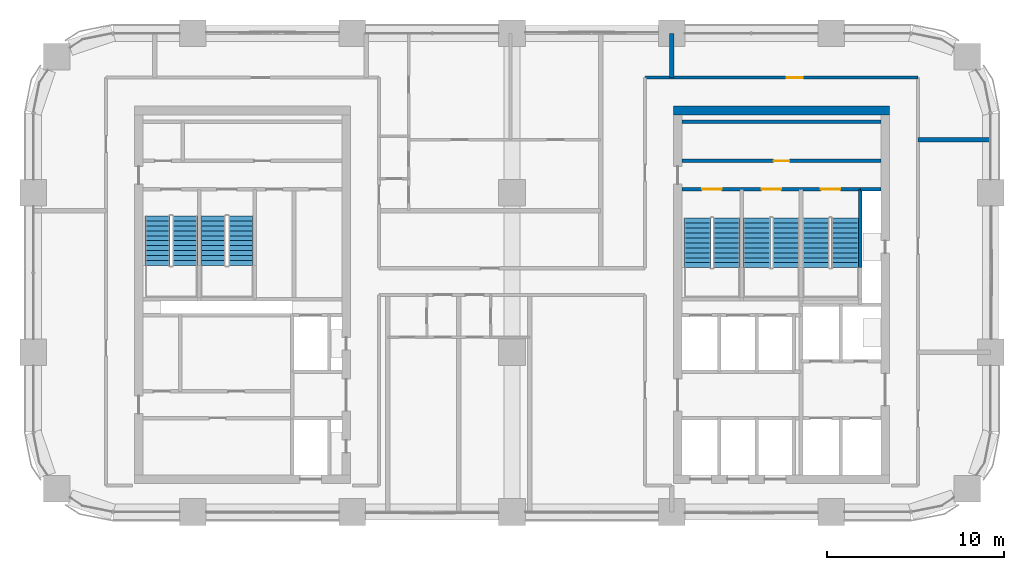
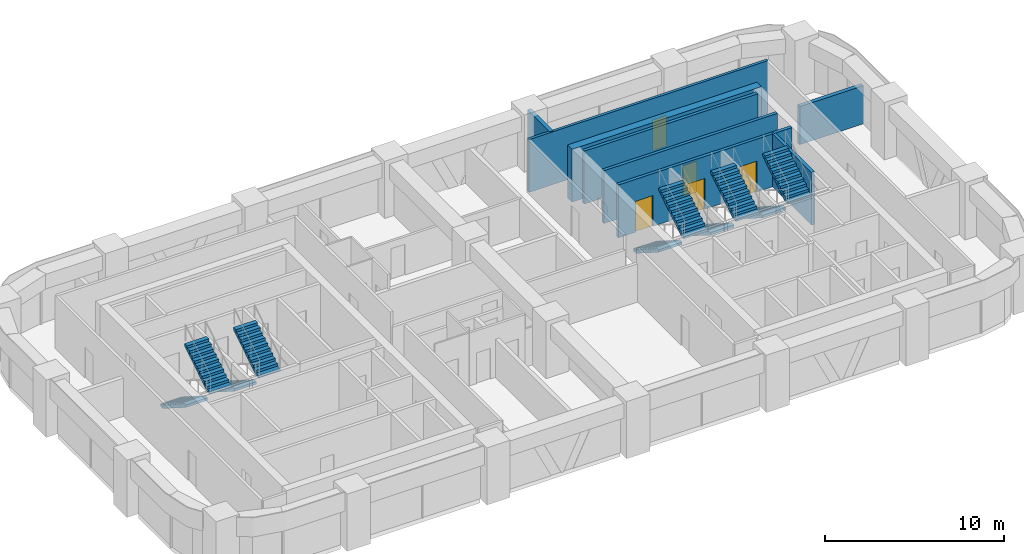
# One storey, part 12 of 14: 10 stair flights, 9 walls, 5 doors, 5 openings, 5 elements without a shape of their own.
"""IFC4 building model written with IfcOpenShell, lengths in metres."""

from ifc_helpers import new_model, si_unit, direction, frame, frame_2d, origin, place, context, subcontext, project, spatial, polyline, rectangle, outline, extrude, material, layer, layer_set, type_object, element, fill, aggregate, save


model = new_model("IFC4")

# Units and contexts
model_context = context("Model", 3, precision=1e-05, world=origin(), true_north=direction((0.0, 1.0)))
body_context = subcontext(model_context, "Body", "Model", "MODEL_VIEW")
ifc_project = project(units=[si_unit("LENGTHUNIT", "METRE"), si_unit("AREAUNIT", "SQUARE_METRE"), si_unit("VOLUMEUNIT", "CUBIC_METRE"), si_unit("PLANEANGLEUNIT", "RADIAN"), si_unit("MASSUNIT", "GRAM", prefix="KILO")], contexts=[model_context])

# Site, building, storey
site_placement = place(None, origin())
site = spatial("IfcSite", under=ifc_project, at=site_placement, CompositionType="ELEMENT")
building_placement = place(site_placement, origin())
building = spatial("IfcBuilding", under=site, at=building_placement, Name="Tessera Arch", CompositionType="ELEMENT")
storey_placement = place(building_placement, frame((0.0, 0.0, 173.89990234375)))
storey = spatial("IfcBuildingStorey", under=building, at=storey_placement, Name="L41", CompositionType="ELEMENT", Elevation=173.89990234375)

# Wall, opening, door
ifc_material_1 = material(Name="Gypsum board on steel stud", Category="steel")
ifc_layer_1 = layer(ifc_material_1, 0.125)
ifc_layer_set_1 = layer_set([ifc_layer_1], Name="Core partition 125 EI 60")
wall_type_1 = type_object("IfcWallType", Name="Core partition 125 EI 60", PredefinedType="PARTITIONING", material=ifc_layer_set_1)
wall_1_placement = place(storey_placement, frame((36.60009765625, 46.800048828125, 0.0), z_axis=(0.0, 0.0, 1.0), x_axis=(1.0, 0.0, 0.0)))
wall_1 = element("IfcWall", 1, at=wall_1_placement, inside=storey, type_object=wall_type_1, Name="L41 C1 partition wall 30", PredefinedType="PARTITIONING", context=body_context, shape_type="SweptSolid", body=[
    extrude(rectangle(XDim=11.199951171875, YDim=0.199951171875, at=frame_2d((5.60009765625, 0.0))), origin(), (0.0, 0.0, 1.0), 3.60009765625),
])
opening_1_placement = place(wall_1_placement, frame((5.14990234375, 0.0, 0.0)))
opening_1 = element("IfcOpeningElement", 2, at=opening_1_placement, cuts=wall_1, Name="Opening L41-C18", PredefinedType="OPENING", context=body_context, shape_type="SweptSolid", body=[
    extrude(rectangle(XDim=0.89990234375, YDim=2.10009765625, at=frame_2d((0.449951171875, 1.050048828125))), frame((0.0, 0.10986328125, 0.0), z_axis=(0.0, -1.0, 0.0), x_axis=(1.0, 0.0, 0.0)), (0.0, 0.0, 1.0), 0.219970703125),
])
ifc_material_2 = material(Name="Steel door leaf", Category="steel")
door_type_1 = type_object("IfcDoorType", Name="Store door FD30S 900 x 2100", OperationType="SINGLE_SWING_LEFT", PredefinedType="DOOR", material=ifc_material_2)
door_1_placement = place(opening_1_placement, origin())
door_1 = element("IfcDoor", 3, at=door_1_placement, inside=storey, type_object=door_type_1, Name="L41 C1 door 18 C18 type D09", OperationType="SINGLE_SWING_RIGHT", OverallHeight=2.10009765625, OverallWidth=0.89990234375, PredefinedType="DOOR", context=body_context, shape_type="SweptSolid", body=[
    extrude(rectangle(XDim=0.89990234375, YDim=2.10009765625, at=frame_2d((0.449951171875, 1.050048828125))), frame((0.0, 0.02490234375, 0.0), z_axis=(0.0, -1.0, 0.0), x_axis=(1.0, 0.0, 0.0)), (0.0, 0.0, 1.0), 0.050048828125),
])
fill(opening_1, door_1)

# Walls
wall_2_placement = place(storey_placement, frame((36.60009765625, 49.0, 0.0), z_axis=(0.0, 0.0, 1.0), x_axis=(1.0, 0.0, 0.0)))
element("IfcWall", 4, at=wall_2_placement, inside=storey, type_object=wall_type_1, Name="L41 C1 partition wall 31", PredefinedType="PARTITIONING", context=body_context, shape_type="SweptSolid", body=[
    extrude(rectangle(XDim=11.199951171875, YDim=0.199951171875, at=frame_2d((5.60009765625, 0.0))), origin(), (0.0, 0.0, 1.0), 3.60009765625),
])
ifc_material_3 = material(Name="Concrete C60/75", Category="concrete")
ifc_layer_2 = layer(ifc_material_3, 0.5)
ifc_layer_set_2 = layer_set([ifc_layer_2], Name="Core shell wall 500 C60-75")
wall_type_2 = type_object("IfcWallType", Name="Core shell wall 500 C60-75", PredefinedType="SHEAR", material=ifc_layer_set_2)
wall_3_placement = place(storey_placement, frame((36.10009765625, 49.64990234375, 0.0), z_axis=(0.0, 0.0, 1.0), x_axis=(1.0, 0.0, 0.0)))
element("IfcWall", 5, at=wall_3_placement, inside=storey, type_object=wall_type_2, Name="L41 C1 core wall N", PredefinedType="SHEAR", context=body_context, shape_type="SweptSolid", body=[
    extrude(rectangle(XDim=12.199951171875, YDim=0.5, at=frame_2d((6.10009765625, 0.0))), origin(), (0.0, 0.0, 1.0), 3.60009765625),
])

# Wall, opening, door
ifc_material_4 = material(Name="Gypsum board on deep steel stud with mineral wool", Category="steel")
ifc_layer_3 = layer(ifc_material_4, 0.175048828125)
ifc_layer_set_3 = layer_set([ifc_layer_3], Name="Corridor wall 175 EI 60")
wall_type_3 = type_object("IfcWallType", Name="Corridor wall 175 EI 60", PredefinedType="PARTITIONING", material=ifc_layer_set_3)
wall_4_placement = place(storey_placement, frame((34.5, 51.5, 0.0), z_axis=(0.0, 0.0, 1.0), x_axis=(1.0, 0.0, 0.0)))
wall_4 = element("IfcWall", 6, at=wall_4_placement, inside=storey, type_object=wall_type_3, Name="L41 partition 8", PredefinedType="PARTITIONING", context=body_context, shape_type="SweptSolid", body=[
    extrude(rectangle(XDim=15.39990234375, YDim=0.175048828125, at=frame_2d((7.699951171875, 0.0))), origin(), (0.0, 0.0, 1.0), 3.60009765625),
])
opening_2_placement = place(wall_4_placement, frame((8.0, 0.0, 0.0)))
opening_2 = element("IfcOpeningElement", 7, at=opening_2_placement, cuts=wall_4, Name="Opening L41-D022", PredefinedType="OPENING", context=body_context, shape_type="SweptSolid", body=[
    extrude(rectangle(XDim=0.89990234375, YDim=2.10009765625, at=frame_2d((0.449951171875, 1.050048828125))), frame((0.0, 0.097412109375, 0.0), z_axis=(0.0, -1.0, 0.0), x_axis=(1.0, 0.0, 0.0)), (0.0, 0.0, 1.0), 0.195068359375),
])
ifc_material_5 = material(Name="Timber door leaf", Category="wood")
door_type_2 = type_object("IfcDoorType", Name="Room door 900 x 2100", OperationType="SINGLE_SWING_LEFT", PredefinedType="DOOR", material=ifc_material_5)
door_2_placement = place(opening_2_placement, origin())
door_2 = element("IfcDoor", 8, at=door_2_placement, inside=storey, type_object=door_type_2, Name="L41 door D022 type D01", OperationType="SINGLE_SWING_LEFT", OverallHeight=2.10009765625, OverallWidth=0.89990234375, PredefinedType="DOOR", context=body_context, shape_type="SweptSolid", body=[
    extrude(rectangle(XDim=0.89990234375, YDim=2.10009765625, at=frame_2d((0.449951171875, 1.050048828125))), frame((0.0, 0.02490234375, 0.0), z_axis=(0.0, -1.0, 0.0), x_axis=(1.0, 0.0, 0.0)), (0.0, 0.0, 1.0), 0.050048828125),
])
fill(opening_2, door_2)

# Walls
ifc_material_6 = material(Name="Double gypsum board on twin steel stud with acoustic mineral wool", Category="steel")
ifc_layer_4 = layer(ifc_material_6, 0.25)
ifc_layer_set_4 = layer_set([ifc_layer_4], Name="Party wall 250 EI 60")
wall_type_4 = type_object("IfcWallType", Name="Party wall 250 EI 60", PredefinedType="PARTITIONING", material=ifc_layer_set_4)
wall_5_placement = place(storey_placement, frame((49.89990234375, 48.0, 0.0), z_axis=(0.0, 0.0, 1.0), x_axis=(1.0, 0.0, 0.0)))
element("IfcWall", 9, at=wall_5_placement, inside=storey, type_object=wall_type_4, Name="L41 partition 23", PredefinedType="PARTITIONING", context=body_context, shape_type="SweptSolid", body=[
    extrude(rectangle(XDim=4.10009765625, YDim=0.25, at=frame_2d((2.050048828125, 0.0))), origin(), (0.0, 0.0, 1.0), 2.60009765625),
])
wall_6_placement = place(storey_placement, frame((36.0, 51.5, 0.0), z_axis=(0.0, 0.0, 1.0), x_axis=(0.0, 1.0, 0.0)))
element("IfcWall", 10, at=wall_6_placement, inside=storey, type_object=wall_type_4, Name="L41 partition 31", PredefinedType="PARTITIONING", context=body_context, shape_type="SweptSolid", body=[
    extrude(rectangle(XDim=2.5, YDim=0.25, at=frame_2d((1.25, 0.0))), origin(), (0.0, 0.0, 1.0), 3.60009765625),
])
ifc_material_7 = material(Name="Concrete C40/50", Category="concrete")
ifc_layer_5 = layer(ifc_material_7, 0.199951171875)
ifc_layer_set_5 = layer_set([ifc_layer_5], Name="Shaft wall 200 EI 120")
wall_type_5 = type_object("IfcWallType", Name="Shaft wall 200 EI 120", PredefinedType="SOLIDWALL", material=ifc_layer_set_5)
wall_7_placement = place(storey_placement, frame((46.64990234375, 45.199951171875, 0.0), z_axis=(0.0, 0.0, 1.0), x_axis=(1.0, 0.0, 0.0)))
element("IfcWall", 11, at=wall_7_placement, inside=storey, type_object=wall_type_5, Name="L41 C1 shaft wall 28", PredefinedType="SOLIDWALL", context=body_context, shape_type="SweptSolid", body=[
    extrude(rectangle(XDim=1.150146484375, YDim=0.199951171875, at=frame_2d((0.5751953125, 0.0))), origin(), (0.0, 0.0, 1.0), 3.60009765625),
])
ifc_material_8 = material(Name="Concrete C40/50", Category="concrete")
ifc_layer_6 = layer(ifc_material_8, 0.199951171875)
ifc_layer_set_6 = layer_set([ifc_layer_6], Name="Stair well wall 200 REI 180")
wall_type_6 = type_object("IfcWallType", Name="Stair well wall 200 REI 180", PredefinedType="SOLIDWALL", material=ifc_layer_set_6)
wall_8_placement = place(storey_placement, frame((46.64990234375, 40.780029296875, 0.0), z_axis=(0.0, 0.0, 1.0), x_axis=(0.0, 1.0, 0.0)))
element("IfcWall", 12, at=wall_8_placement, inside=storey, type_object=wall_type_6, Name="L41 C1 shaft wall 16", PredefinedType="SOLIDWALL", context=body_context, shape_type="SweptSolid", body=[
    extrude(rectangle(XDim=4.419921875, YDim=0.199951171875, at=frame_2d((2.2099609375, 0.0))), origin(), (0.0, 0.0, 1.0), 3.60009765625),
])

# Wall, openings, doors
wall_9_placement = place(storey_placement, frame((36.60009765625, 45.199951171875, 0.0), z_axis=(0.0, 0.0, 1.0), x_axis=(1.0, 0.0, 0.0)))
wall_9 = element("IfcWall", 13, at=wall_9_placement, inside=storey, type_object=wall_type_6, Name="L41 C1 shaft wall 29", PredefinedType="SOLIDWALL", context=body_context, shape_type="SweptSolid", body=[
    extrude(rectangle(XDim=10.0498046875, YDim=0.199951171875, at=frame_2d((5.02490234375, 0.0))), origin(), (0.0, 0.0, 1.0), 3.60009765625),
])
opening_3_placement = place(wall_9_placement, frame((1.125, 0.0, 0.0)))
opening_3 = element("IfcOpeningElement", 14, at=opening_3_placement, cuts=wall_9, Name="Opening L41-C11", PredefinedType="OPENING", context=body_context, shape_type="SweptSolid", body=[
    extrude(rectangle(XDim=1.10009765625, YDim=2.10009765625, at=frame_2d((0.550048828125, 1.050048828125))), frame((0.0, 0.10986328125, 0.0), z_axis=(0.0, -1.0, 0.0), x_axis=(1.0, 0.0, 0.0)), (0.0, 0.0, 1.0), 0.219970703125),
])
opening_4_placement = place(wall_9_placement, frame((4.47509765625, 0.0, 0.0)))
opening_4 = element("IfcOpeningElement", 15, at=opening_4_placement, cuts=wall_9, Name="Opening L41-C12", PredefinedType="OPENING", context=body_context, shape_type="SweptSolid", body=[
    extrude(rectangle(XDim=1.10009765625, YDim=2.10009765625, at=frame_2d((0.550048828125, 1.050048828125))), frame((0.0, 0.10986328125, 0.0), z_axis=(0.0, -1.0, 0.0), x_axis=(1.0, 0.0, 0.0)), (0.0, 0.0, 1.0), 0.219970703125),
])
opening_5_placement = place(wall_9_placement, frame((7.824951171875, 0.0, 0.0)))
opening_5 = element("IfcOpeningElement", 16, at=opening_5_placement, cuts=wall_9, Name="Opening L41-C13", PredefinedType="OPENING", context=body_context, shape_type="SweptSolid", body=[
    extrude(rectangle(XDim=1.10009765625, YDim=2.10009765625, at=frame_2d((0.550048828125, 1.050048828125))), frame((0.0, 0.10986328125, 0.0), z_axis=(0.0, -1.0, 0.0), x_axis=(1.0, 0.0, 0.0)), (0.0, 0.0, 1.0), 0.219970703125),
])
ifc_material_9 = material(Name="Steel door leaf", Category="steel")
door_type_3 = type_object("IfcDoorType", Name="Stair door FD60 1100 x 2100", OperationType="SINGLE_SWING_LEFT", PredefinedType="DOOR", material=ifc_material_9)
door_3_placement = place(opening_3_placement, origin())
door_3 = element("IfcDoor", 17, at=door_3_placement, inside=storey, type_object=door_type_3, Name="L41 C1 door 11 C11 type D05", OperationType="SINGLE_SWING_LEFT", OverallHeight=2.10009765625, OverallWidth=1.10009765625, PredefinedType="DOOR", context=body_context, shape_type="SweptSolid", body=[
    extrude(rectangle(XDim=1.10009765625, YDim=2.10009765625, at=frame_2d((0.550048828125, 1.050048828125))), frame((0.0, 0.02490234375, 0.0), z_axis=(0.0, -1.0, 0.0), x_axis=(1.0, 0.0, 0.0)), (0.0, 0.0, 1.0), 0.050048828125),
])
fill(opening_3, door_3)
door_4_placement = place(opening_4_placement, origin())
door_4 = element("IfcDoor", 18, at=door_4_placement, inside=storey, type_object=door_type_3, Name="L41 C1 door 12 C12 type D05", OperationType="SINGLE_SWING_RIGHT", OverallHeight=2.10009765625, OverallWidth=1.10009765625, PredefinedType="DOOR", context=body_context, shape_type="SweptSolid", body=[
    extrude(rectangle(XDim=1.10009765625, YDim=2.10009765625, at=frame_2d((0.550048828125, 1.050048828125))), frame((0.0, 0.02490234375, 0.0), z_axis=(0.0, -1.0, 0.0), x_axis=(1.0, 0.0, 0.0)), (0.0, 0.0, 1.0), 0.050048828125),
])
fill(opening_4, door_4)
door_5_placement = place(opening_5_placement, origin())
door_5 = element("IfcDoor", 19, at=door_5_placement, inside=storey, type_object=door_type_3, Name="L41 C1 door 13 C13 type D05", OperationType="SINGLE_SWING_RIGHT", OverallHeight=2.10009765625, OverallWidth=1.10009765625, PredefinedType="DOOR", context=body_context, shape_type="SweptSolid", body=[
    extrude(rectangle(XDim=1.10009765625, YDim=2.10009765625, at=frame_2d((0.550048828125, 1.050048828125))), frame((0.0, 0.02490234375, 0.0), z_axis=(0.0, -1.0, 0.0), x_axis=(1.0, 0.0, 0.0)), (0.0, 0.0, 1.0), 0.050048828125),
])
fill(opening_5, door_5)

# Stair, stair flights
ifc_material_10 = material(Name="Concrete C40/50", Category="concrete")
stair_type_1 = type_object("IfcStairType", Name="Dogleg stair 1400", PredefinedType="HALF_TURN_STAIR", material=ifc_material_10)
stair_1_placement = place(storey_placement, origin())
stair_1 = element("IfcStair", 20, at=stair_1_placement, inside=storey, type_object=stair_type_1, Name="L41 S2a", PredefinedType="HALF_TURN_STAIR")
ifc_material_11 = material(Name="Concrete C40/50", Category="concrete")
stair_flight_type_1 = type_object("IfcStairFlightType", Name="Stair flight 1400", PredefinedType="STRAIGHT", material=ifc_material_11)
stair_flight_1_placement = place(storey_placement, frame((7.0, 43.699951171875, 0.0), z_axis=(0.0, 0.0, 1.0), x_axis=(0.0, -1.0, 0.0)))
stair_flight_1 = element("IfcStairFlight", 21, at=stair_flight_1_placement, type_object=stair_flight_type_1, Name="S2a flight 1", NumberOfRisers=11, NumberOfTreads=10, PredefinedType="STRAIGHT", RiserHeight=0.177272727, TreadLength=0.28, context=body_context, shape_type="SweptSolid", body=[
    extrude(outline(polyline([(0.0, 0.0), (0.0, 0.17724609375), (0.280029296875, 0.17724609375), (0.280029296875, 0.3544921875), (0.56005859375, 0.3544921875), (0.56005859375, 0.53173828125), (0.840087890625, 0.53173828125), (0.840087890625, 0.708984375), (1.1201171875, 0.708984375), (1.1201171875, 0.886474609375), (1.39990234375, 0.886474609375), (1.39990234375, 1.063720703125), (1.679931640625, 1.063720703125), (1.679931640625, 1.240966796875), (1.9599609375, 1.240966796875), (1.9599609375, 1.418212890625), (2.239990234375, 1.418212890625), (2.239990234375, 1.595458984375), (2.52001953125, 1.595458984375), (2.52001953125, 1.772705078125), (2.800048828125, 1.772705078125), (2.800048828125, 1.949951171875), (2.800048828125, 1.59521484375), (0.2802734375, 0.0), (0.0, 0.0)])), frame((0.0, 0.699951171875, 0.0), z_axis=(0.0, -1.0, 0.0), x_axis=(1.0, 0.0, 0.0)), (0.0, 0.0, 1.0), 1.39990234375),
])
stair_flight_2_placement = place(storey_placement, frame((8.550048828125, 40.89990234375, 1.9501953125), z_axis=(0.0, 0.0, 1.0), x_axis=(0.0, 1.0, 0.0)))
stair_flight_2 = element("IfcStairFlight", 22, at=stair_flight_2_placement, type_object=stair_flight_type_1, Name="S2a flight 2", NumberOfRisers=11, NumberOfTreads=10, PredefinedType="STRAIGHT", RiserHeight=0.177272727, TreadLength=0.28, context=body_context, shape_type="SweptSolid", body=[
    extrude(outline(polyline([(0.0, 0.0), (0.0, 0.17724609375), (0.280029296875, 0.17724609375), (0.280029296875, 0.3544921875), (0.56005859375, 0.3544921875), (0.56005859375, 0.53173828125), (0.840087890625, 0.53173828125), (0.840087890625, 0.708984375), (1.1201171875, 0.708984375), (1.1201171875, 0.886474609375), (1.39990234375, 0.886474609375), (1.39990234375, 1.063720703125), (1.679931640625, 1.063720703125), (1.679931640625, 1.240966796875), (1.9599609375, 1.240966796875), (1.9599609375, 1.418212890625), (2.239990234375, 1.418212890625), (2.239990234375, 1.595458984375), (2.52001953125, 1.595458984375), (2.52001953125, 1.772705078125), (2.800048828125, 1.772705078125), (2.800048828125, 1.949951171875), (2.800048828125, 1.59521484375), (0.2802734375, 0.0), (0.0, 0.0)])), frame((0.0, 0.699951171875, 0.0), z_axis=(0.0, -1.0, 0.0), x_axis=(1.0, 0.0, 0.0)), (0.0, 0.0, 1.0), 1.39990234375),
])
aggregate(stair_1, [stair_flight_1, stair_flight_2])

stair_2_placement = place(storey_placement, origin())
stair_2 = element("IfcStair", 23, at=stair_2_placement, inside=storey, type_object=stair_type_1, Name="L41 S2b", PredefinedType="HALF_TURN_STAIR")
stair_flight_3_placement = place(storey_placement, frame((10.14990234375, 43.699951171875, 0.0), z_axis=(0.0, 0.0, 1.0), x_axis=(0.0, -1.0, 0.0)))
stair_flight_3 = element("IfcStairFlight", 24, at=stair_flight_3_placement, type_object=stair_flight_type_1, Name="S2b flight 1", NumberOfRisers=11, NumberOfTreads=10, PredefinedType="STRAIGHT", RiserHeight=0.177272727, TreadLength=0.28, context=body_context, shape_type="SweptSolid", body=[
    extrude(outline(polyline([(0.0, 0.0), (0.0, 0.17724609375), (0.280029296875, 0.17724609375), (0.280029296875, 0.3544921875), (0.56005859375, 0.3544921875), (0.56005859375, 0.53173828125), (0.840087890625, 0.53173828125), (0.840087890625, 0.708984375), (1.1201171875, 0.708984375), (1.1201171875, 0.886474609375), (1.39990234375, 0.886474609375), (1.39990234375, 1.063720703125), (1.679931640625, 1.063720703125), (1.679931640625, 1.240966796875), (1.9599609375, 1.240966796875), (1.9599609375, 1.418212890625), (2.239990234375, 1.418212890625), (2.239990234375, 1.595458984375), (2.52001953125, 1.595458984375), (2.52001953125, 1.772705078125), (2.800048828125, 1.772705078125), (2.800048828125, 1.949951171875), (2.800048828125, 1.59521484375), (0.2802734375, 0.0), (0.0, 0.0)])), frame((0.0, 0.699951171875, 0.0), z_axis=(0.0, -1.0, 0.0), x_axis=(1.0, 0.0, 0.0)), (0.0, 0.0, 1.0), 1.39990234375),
])
stair_flight_4_placement = place(storey_placement, frame((11.699951171875, 40.89990234375, 1.9501953125), z_axis=(0.0, 0.0, 1.0), x_axis=(0.0, 1.0, 0.0)))
stair_flight_4 = element("IfcStairFlight", 25, at=stair_flight_4_placement, type_object=stair_flight_type_1, Name="S2b flight 2", NumberOfRisers=11, NumberOfTreads=10, PredefinedType="STRAIGHT", RiserHeight=0.177272727, TreadLength=0.28, context=body_context, shape_type="SweptSolid", body=[
    extrude(outline(polyline([(0.0, 0.0), (0.0, 0.17724609375), (0.280029296875, 0.17724609375), (0.280029296875, 0.3544921875), (0.56005859375, 0.3544921875), (0.56005859375, 0.53173828125), (0.840087890625, 0.53173828125), (0.840087890625, 0.708984375), (1.1201171875, 0.708984375), (1.1201171875, 0.886474609375), (1.39990234375, 0.886474609375), (1.39990234375, 1.063720703125), (1.679931640625, 1.063720703125), (1.679931640625, 1.240966796875), (1.9599609375, 1.240966796875), (1.9599609375, 1.418212890625), (2.239990234375, 1.418212890625), (2.239990234375, 1.595458984375), (2.52001953125, 1.595458984375), (2.52001953125, 1.772705078125), (2.800048828125, 1.772705078125), (2.800048828125, 1.949951171875), (2.800048828125, 1.59521484375), (0.2802734375, 0.0), (0.0, 0.0)])), frame((0.0, 0.699951171875, 0.0), z_axis=(0.0, -1.0, 0.0), x_axis=(1.0, 0.0, 0.0)), (0.0, 0.0, 1.0), 1.39990234375),
])
aggregate(stair_2, [stair_flight_3, stair_flight_4])

ifc_material_12 = material(Name="Concrete C40/50", Category="concrete")
stair_type_2 = type_object("IfcStairType", Name="Dogleg stair 1520", PredefinedType="HALF_TURN_STAIR", material=ifc_material_12)
stair_3_placement = place(storey_placement, origin())
stair_3 = element("IfcStair", 26, at=stair_3_placement, inside=storey, type_object=stair_type_2, Name="L41 S1a", PredefinedType="HALF_TURN_STAIR")
ifc_material_13 = material(Name="Concrete C40/50", Category="concrete")
stair_flight_type_2 = type_object("IfcStairFlightType", Name="Stair flight 1520", PredefinedType="STRAIGHT", material=ifc_material_13)
stair_flight_5_placement = place(storey_placement, frame((37.4599609375, 43.580078125, 0.0), z_axis=(0.0, 0.0, 1.0), x_axis=(0.0, -1.0, 0.0)))
stair_flight_5 = element("IfcStairFlight", 27, at=stair_flight_5_placement, type_object=stair_flight_type_2, Name="S1a flight 1", NumberOfRisers=11, NumberOfTreads=10, PredefinedType="STRAIGHT", RiserHeight=0.177272727, TreadLength=0.28, context=body_context, shape_type="SweptSolid", body=[
    extrude(outline(polyline([(0.0, 0.0), (0.0, 0.17724609375), (0.280029296875, 0.17724609375), (0.280029296875, 0.3544921875), (0.56005859375, 0.3544921875), (0.56005859375, 0.53173828125), (0.840087890625, 0.53173828125), (0.840087890625, 0.708984375), (1.1201171875, 0.708984375), (1.1201171875, 0.886474609375), (1.39990234375, 0.886474609375), (1.39990234375, 1.063720703125), (1.679931640625, 1.063720703125), (1.679931640625, 1.240966796875), (1.9599609375, 1.240966796875), (1.9599609375, 1.418212890625), (2.239990234375, 1.418212890625), (2.239990234375, 1.595458984375), (2.52001953125, 1.595458984375), (2.52001953125, 1.772705078125), (2.800048828125, 1.772705078125), (2.800048828125, 1.949951171875), (2.800048828125, 1.59521484375), (0.2802734375, 0.0), (0.0, 0.0)])), frame((0.0, 0.760009765625, 0.0), z_axis=(0.0, -1.0, 0.0), x_axis=(1.0, 0.0, 0.0)), (0.0, 0.0, 1.0), 1.52001953125),
])
stair_flight_6_placement = place(storey_placement, frame((39.090087890625, 40.780029296875, 1.9501953125), z_axis=(0.0, 0.0, 1.0), x_axis=(0.0, 1.0, 0.0)))
stair_flight_6 = element("IfcStairFlight", 28, at=stair_flight_6_placement, type_object=stair_flight_type_2, Name="S1a flight 2", NumberOfRisers=11, NumberOfTreads=10, PredefinedType="STRAIGHT", RiserHeight=0.177272727, TreadLength=0.28, context=body_context, shape_type="SweptSolid", body=[
    extrude(outline(polyline([(0.0, 0.0), (0.0, 0.17724609375), (0.280029296875, 0.17724609375), (0.280029296875, 0.3544921875), (0.56005859375, 0.3544921875), (0.56005859375, 0.53173828125), (0.840087890625, 0.53173828125), (0.840087890625, 0.708984375), (1.1201171875, 0.708984375), (1.1201171875, 0.886474609375), (1.39990234375, 0.886474609375), (1.39990234375, 1.063720703125), (1.679931640625, 1.063720703125), (1.679931640625, 1.240966796875), (1.9599609375, 1.240966796875), (1.9599609375, 1.418212890625), (2.239990234375, 1.418212890625), (2.239990234375, 1.595458984375), (2.52001953125, 1.595458984375), (2.52001953125, 1.772705078125), (2.800048828125, 1.772705078125), (2.800048828125, 1.949951171875), (2.800048828125, 1.59521484375), (0.2802734375, 0.0), (0.0, 0.0)])), frame((0.0, 0.760009765625, 0.0), z_axis=(0.0, -1.0, 0.0), x_axis=(1.0, 0.0, 0.0)), (0.0, 0.0, 1.0), 1.52001953125),
])
aggregate(stair_3, [stair_flight_5, stair_flight_6])

stair_4_placement = place(storey_placement, origin())
stair_4 = element("IfcStair", 29, at=stair_4_placement, inside=storey, type_object=stair_type_2, Name="L41 S1b", PredefinedType="HALF_TURN_STAIR")
stair_flight_7_placement = place(storey_placement, frame((40.81005859375, 43.580078125, 0.0), z_axis=(0.0, 0.0, 1.0), x_axis=(0.0, -1.0, 0.0)))
stair_flight_7 = element("IfcStairFlight", 30, at=stair_flight_7_placement, type_object=stair_flight_type_2, Name="S1b flight 1", NumberOfRisers=11, NumberOfTreads=10, PredefinedType="STRAIGHT", RiserHeight=0.177272727, TreadLength=0.28, context=body_context, shape_type="SweptSolid", body=[
    extrude(outline(polyline([(0.0, 0.0), (0.0, 0.17724609375), (0.280029296875, 0.17724609375), (0.280029296875, 0.3544921875), (0.56005859375, 0.3544921875), (0.56005859375, 0.53173828125), (0.840087890625, 0.53173828125), (0.840087890625, 0.708984375), (1.1201171875, 0.708984375), (1.1201171875, 0.886474609375), (1.39990234375, 0.886474609375), (1.39990234375, 1.063720703125), (1.679931640625, 1.063720703125), (1.679931640625, 1.240966796875), (1.9599609375, 1.240966796875), (1.9599609375, 1.418212890625), (2.239990234375, 1.418212890625), (2.239990234375, 1.595458984375), (2.52001953125, 1.595458984375), (2.52001953125, 1.772705078125), (2.800048828125, 1.772705078125), (2.800048828125, 1.949951171875), (2.800048828125, 1.59521484375), (0.2802734375, 0.0), (0.0, 0.0)])), frame((0.0, 0.760009765625, 0.0), z_axis=(0.0, -1.0, 0.0), x_axis=(1.0, 0.0, 0.0)), (0.0, 0.0, 1.0), 1.52001953125),
])
stair_flight_8_placement = place(storey_placement, frame((42.43994140625, 40.780029296875, 1.9501953125), z_axis=(0.0, 0.0, 1.0), x_axis=(0.0, 1.0, 0.0)))
stair_flight_8 = element("IfcStairFlight", 31, at=stair_flight_8_placement, type_object=stair_flight_type_2, Name="S1b flight 2", NumberOfRisers=11, NumberOfTreads=10, PredefinedType="STRAIGHT", RiserHeight=0.177272727, TreadLength=0.28, context=body_context, shape_type="SweptSolid", body=[
    extrude(outline(polyline([(0.0, 0.0), (0.0, 0.17724609375), (0.280029296875, 0.17724609375), (0.280029296875, 0.3544921875), (0.56005859375, 0.3544921875), (0.56005859375, 0.53173828125), (0.840087890625, 0.53173828125), (0.840087890625, 0.708984375), (1.1201171875, 0.708984375), (1.1201171875, 0.886474609375), (1.39990234375, 0.886474609375), (1.39990234375, 1.063720703125), (1.679931640625, 1.063720703125), (1.679931640625, 1.240966796875), (1.9599609375, 1.240966796875), (1.9599609375, 1.418212890625), (2.239990234375, 1.418212890625), (2.239990234375, 1.595458984375), (2.52001953125, 1.595458984375), (2.52001953125, 1.772705078125), (2.800048828125, 1.772705078125), (2.800048828125, 1.949951171875), (2.800048828125, 1.59521484375), (0.2802734375, 0.0), (0.0, 0.0)])), frame((0.0, 0.760009765625, 0.0), z_axis=(0.0, -1.0, 0.0), x_axis=(1.0, 0.0, 0.0)), (0.0, 0.0, 1.0), 1.52001953125),
])
aggregate(stair_4, [stair_flight_7, stair_flight_8])

stair_5_placement = place(storey_placement, origin())
stair_5 = element("IfcStair", 32, at=stair_5_placement, inside=storey, type_object=stair_type_2, Name="L41 S1c", PredefinedType="HALF_TURN_STAIR")
stair_flight_9_placement = place(storey_placement, frame((44.159912109375, 43.580078125, 0.0), z_axis=(0.0, 0.0, 1.0), x_axis=(0.0, -1.0, 0.0)))
stair_flight_9 = element("IfcStairFlight", 33, at=stair_flight_9_placement, type_object=stair_flight_type_2, Name="S1c flight 1", NumberOfRisers=11, NumberOfTreads=10, PredefinedType="STRAIGHT", RiserHeight=0.177272727, TreadLength=0.28, context=body_context, shape_type="SweptSolid", body=[
    extrude(outline(polyline([(0.0, 0.0), (0.0, 0.17724609375), (0.280029296875, 0.17724609375), (0.280029296875, 0.3544921875), (0.56005859375, 0.3544921875), (0.56005859375, 0.53173828125), (0.840087890625, 0.53173828125), (0.840087890625, 0.708984375), (1.1201171875, 0.708984375), (1.1201171875, 0.886474609375), (1.39990234375, 0.886474609375), (1.39990234375, 1.063720703125), (1.679931640625, 1.063720703125), (1.679931640625, 1.240966796875), (1.9599609375, 1.240966796875), (1.9599609375, 1.418212890625), (2.239990234375, 1.418212890625), (2.239990234375, 1.595458984375), (2.52001953125, 1.595458984375), (2.52001953125, 1.772705078125), (2.800048828125, 1.772705078125), (2.800048828125, 1.949951171875), (2.800048828125, 1.59521484375), (0.2802734375, 0.0), (0.0, 0.0)])), frame((0.0, 0.760009765625, 0.0), z_axis=(0.0, -1.0, 0.0), x_axis=(1.0, 0.0, 0.0)), (0.0, 0.0, 1.0), 1.52001953125),
])
stair_flight_10_placement = place(storey_placement, frame((45.7900390625, 40.780029296875, 1.9501953125), z_axis=(0.0, 0.0, 1.0), x_axis=(0.0, 1.0, 0.0)))
stair_flight_10 = element("IfcStairFlight", 34, at=stair_flight_10_placement, type_object=stair_flight_type_2, Name="S1c flight 2", NumberOfRisers=11, NumberOfTreads=10, PredefinedType="STRAIGHT", RiserHeight=0.177272727, TreadLength=0.28, context=body_context, shape_type="SweptSolid", body=[
    extrude(outline(polyline([(0.0, 0.0), (0.0, 0.17724609375), (0.280029296875, 0.17724609375), (0.280029296875, 0.3544921875), (0.56005859375, 0.3544921875), (0.56005859375, 0.53173828125), (0.840087890625, 0.53173828125), (0.840087890625, 0.708984375), (1.1201171875, 0.708984375), (1.1201171875, 0.886474609375), (1.39990234375, 0.886474609375), (1.39990234375, 1.063720703125), (1.679931640625, 1.063720703125), (1.679931640625, 1.240966796875), (1.9599609375, 1.240966796875), (1.9599609375, 1.418212890625), (2.239990234375, 1.418212890625), (2.239990234375, 1.595458984375), (2.52001953125, 1.595458984375), (2.52001953125, 1.772705078125), (2.800048828125, 1.772705078125), (2.800048828125, 1.949951171875), (2.800048828125, 1.59521484375), (0.2802734375, 0.0), (0.0, 0.0)])), frame((0.0, 0.760009765625, 0.0), z_axis=(0.0, -1.0, 0.0), x_axis=(1.0, 0.0, 0.0)), (0.0, 0.0, 1.0), 1.52001953125),
])
aggregate(stair_5, [stair_flight_9, stair_flight_10])

save(model, "model.ifc")
